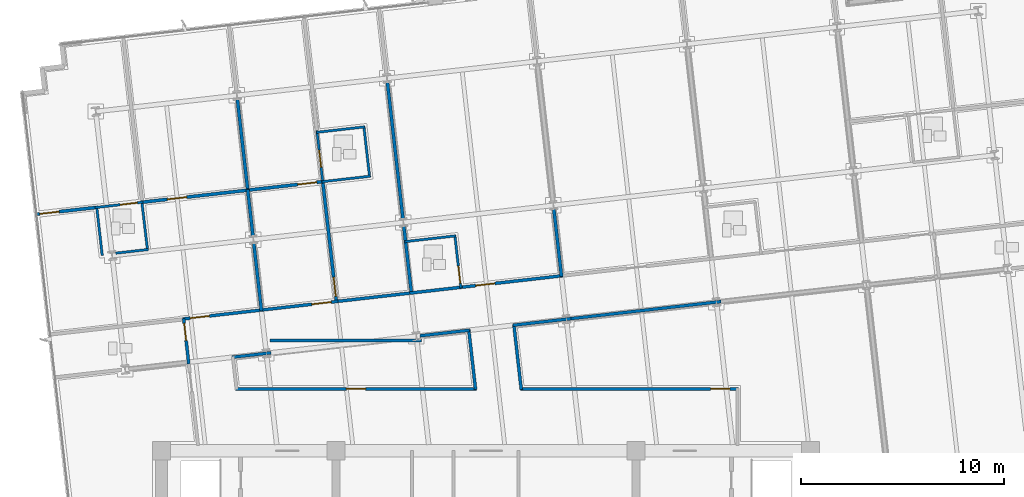
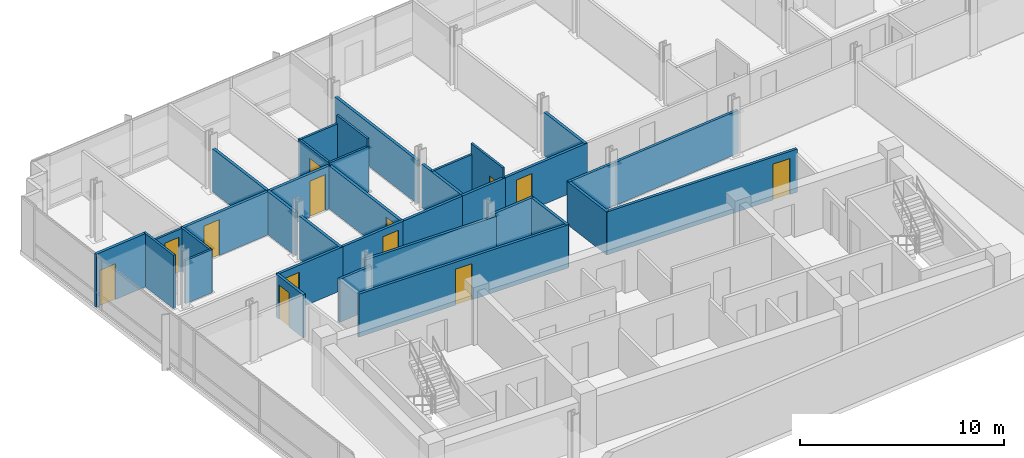
# One storey, part 10 of 16: 35 walls, 13 doors, 13 openings.
"""IFC4 building model written with IfcOpenShell, lengths in metres."""

from ifc_helpers import new_model, si_unit, direction, frame, frame_2d, origin, place, context, subcontext, project, spatial, rectangle, extrude, material, layer, layer_set, type_object, element, fill, save


model = new_model("IFC4")

# Units and contexts
model_context = context("Model", 3, precision=1e-05, world=origin(), true_north=direction((0.0, 1.0)))
body_context = subcontext(model_context, "Body", "Model", "MODEL_VIEW")
ifc_project = project(units=[si_unit("LENGTHUNIT", "METRE"), si_unit("AREAUNIT", "SQUARE_METRE"), si_unit("VOLUMEUNIT", "CUBIC_METRE"), si_unit("PLANEANGLEUNIT", "RADIAN"), si_unit("MASSUNIT", "GRAM", prefix="KILO")], contexts=[model_context])

# Site, building, storey
site_placement = place(None, origin())
site = spatial("IfcSite", under=ifc_project, at=site_placement, CompositionType="ELEMENT")
building_placement = place(site_placement, origin())
building = spatial("IfcBuilding", under=site, at=building_placement, Name="Solmavex Isthmus Hotel", CompositionType="ELEMENT")
storey_placement = place(building_placement, frame((0.0, 0.0, 222.75)))
storey = spatial("IfcBuildingStorey", under=building, at=storey_placement, Name="L60", CompositionType="ELEMENT", Elevation=222.75)

# Wall, opening, door
ifc_material_1 = material(Name="Gypsum plasterboard lining", Category="gypsum")
ifc_layer_1 = layer(ifc_material_1, 0.159912109375)
ifc_layer_set_1 = layer_set([ifc_layer_1], Name="Gypsum plasterboard lining")
wall_type_1 = type_object("IfcWallType", Name="IW-COMP-160", PredefinedType="PARTITIONING", material=ifc_layer_set_1)
wall_1_placement = place(storey_placement, frame((-22.2109375, 9.15478515625, 0.0), z_axis=(0.0, 0.0, 1.0), x_axis=(0.993565909035, 0.113255394587, 0.0)))
wall_1 = element("IfcWall", 1, at=wall_1_placement, inside=storey, type_object=wall_type_1, Name="Interior Partition Wall W-L60-P026", PredefinedType="PARTITIONING", context=body_context, shape_type="SweptSolid", body=[
    extrude(rectangle(XDim=3.073974609375, YDim=0.159912109375, at=frame_2d((1.537109375, 0.0))), origin(), (0.0, 0.0, 1.0), 3.18994140625),
])
opening_1_placement = place(wall_1_placement, frame((0.2099609375, 0.0, 0.0)))
opening_1 = element("IfcOpeningElement", 2, at=opening_1_placement, cuts=wall_1, Name="Opening ID-C095", PredefinedType="OPENING", context=body_context, shape_type="SweptSolid", body=[
    extrude(rectangle(XDim=0.949951171875, YDim=2.14990234375, at=frame_2d((0.47509765625, 1.074951171875))), frame((0.0, 0.08984375, 0.0), z_axis=(0.0, -1.0, 0.0), x_axis=(1.0, 0.0, 0.0)), (0.0, 0.0, 1.0), 0.179931640625),
])
ifc_material_2 = material(Name="Hardwood timber", Category="wood")
door_type_1 = type_object("IfcDoorType", Name="IDR-FD60-0950", OperationType="NOTDEFINED", PredefinedType="DOOR", material=ifc_material_2)
door_1_placement = place(opening_1_placement, origin())
door_1 = element("IfcDoor", 3, at=door_1_placement, inside=storey, type_object=door_type_1, Name="Corner Diplomatic Suite Bedroom Door L60-02", OperationType="SINGLE_SWING_RIGHT", OverallHeight=2.14990234375, OverallWidth=0.949951171875, PredefinedType="DOOR", context=body_context, shape_type="SweptSolid", body=[
    extrude(rectangle(XDim=0.949951171875, YDim=2.14990234375, at=frame_2d((0.47509765625, 1.074951171875))), frame((0.0, 0.02490234375, 0.0), z_axis=(0.0, -1.0, 0.0), x_axis=(1.0, 0.0, 0.0)), (0.0, 0.0, 1.0), 0.050048828125),
])
fill(opening_1, door_1)

wall_2_placement = place(storey_placement, frame((-17.0107421875, 9.747314453125, 0.0), z_axis=(0.0, 0.0, 1.0), x_axis=(0.993573472998, 0.113189017815, 0.0)))
wall_2 = element("IfcWall", 4, at=wall_2_placement, inside=storey, type_object=wall_type_1, Name="Interior Partition Wall W-L60-P027", PredefinedType="PARTITIONING", context=body_context, shape_type="SweptSolid", body=[
    extrude(rectangle(XDim=5.333984375, YDim=0.159912109375, at=frame_2d((2.6669921875, 0.0))), origin(), (0.0, 0.0, 1.0), 2.572265625),
])
opening_2_placement = place(wall_2_placement, frame((1.309326171875, 0.0, 0.0)))
opening_2 = element("IfcOpeningElement", 5, at=opening_2_placement, cuts=wall_2, Name="Opening ID-C095", PredefinedType="OPENING", context=body_context, shape_type="SweptSolid", body=[
    extrude(rectangle(XDim=0.949951171875, YDim=2.14990234375, at=frame_2d((0.47509765625, 1.074951171875))), frame((0.0, 0.08984375, 0.0), z_axis=(0.0, -1.0, 0.0), x_axis=(1.0, 0.0, 0.0)), (0.0, 0.0, 1.0), 0.179931640625),
])
door_2_placement = place(opening_2_placement, origin())
door_2 = element("IfcDoor", 6, at=door_2_placement, inside=storey, type_object=door_type_1, Name="Corner Diplomatic Suite Sitting Lounge Door L60-03", OperationType="SINGLE_SWING_LEFT", OverallHeight=2.14990234375, OverallWidth=0.949951171875, PredefinedType="DOOR", context=body_context, shape_type="SweptSolid", body=[
    extrude(rectangle(XDim=0.949951171875, YDim=2.14990234375, at=frame_2d((0.47509765625, 1.074951171875))), frame((0.0, 0.02490234375, 0.0), z_axis=(0.0, -1.0, 0.0), x_axis=(1.0, 0.0, 0.0)), (0.0, 0.0, 1.0), 0.050048828125),
])
fill(opening_2, door_2)

# Walls
wall_3_placement = place(storey_placement, frame((-11.75537109375, 10.386474609375, 0.0), z_axis=(0.0, 0.0, 1.0), x_axis=(0.113222204678, -0.993569691752, 0.0)))
element("IfcWall", 7, at=wall_3_placement, inside=storey, type_object=wall_type_1, Name="Interior Partition Wall W-L60-P031", PredefinedType="PARTITIONING", context=body_context, shape_type="SweptSolid", body=[
    extrude(rectangle(XDim=2.313720703125, YDim=0.159912109375, at=frame_2d((1.15673828125, 0.0))), origin(), (0.0, 0.0, 1.0), 2.572265625),
])
wall_4_placement = place(storey_placement, frame((-11.453369140625, 7.737060546875, 0.0), z_axis=(0.0, 0.0, 1.0), x_axis=(0.113229088195, -0.993568907317, 0.0)))
element("IfcWall", 8, at=wall_4_placement, inside=storey, type_object=wall_type_1, Name="Interior Partition Wall W-L60-P032", PredefinedType="PARTITIONING", context=body_context, shape_type="SweptSolid", body=[
    extrude(rectangle(XDim=3.361572265625, YDim=0.159912109375, at=frame_2d((1.6806640625, 0.0))), origin(), (0.0, 0.0, 1.0), 2.572265625),
])
wall_5_placement = place(storey_placement, frame((-12.262939453125, 14.84326171875, 0.0), z_axis=(0.0, 0.0, 1.0), x_axis=(0.113201232248, -0.99357208144, 0.0)))
element("IfcWall", 9, at=wall_5_placement, inside=storey, type_object=wall_type_1, Name="Interior Partition Wall W-L60-P037", PredefinedType="PARTITIONING", context=body_context, shape_type="SweptSolid", body=[
    extrude(rectangle(XDim=4.565673828125, YDim=0.159912109375, at=frame_2d((2.28271484375, 0.0))), origin(), (0.0, 0.0, 1.0), 2.572265625),
])

# Wall, opening, door
wall_6_placement = place(storey_placement, frame((-11.79052734375, 10.342041015625, 0.0), z_axis=(0.0, 0.0, 1.0), x_axis=(0.993567388358, 0.113242416041, 0.0)))
wall_6 = element("IfcWall", 10, at=wall_6_placement, inside=storey, type_object=wall_type_1, Name="Interior Partition Wall W-L60-P038", PredefinedType="PARTITIONING", context=body_context, shape_type="SweptSolid", body=[
    extrude(rectangle(XDim=3.802978515625, YDim=0.159912109375, at=frame_2d((1.9013671875, 0.0))), origin(), (0.0, 0.0, 1.0), 2.572265625),
])
opening_3_placement = place(wall_6_placement, frame((2.52099609375, 0.0, 0.0)))
opening_3 = element("IfcOpeningElement", 11, at=opening_3_placement, cuts=wall_6, Name="Opening ID-C095", PredefinedType="OPENING", context=body_context, shape_type="SweptSolid", body=[
    extrude(rectangle(XDim=0.949951171875, YDim=2.14990234375, at=frame_2d((0.47509765625, 1.074951171875))), frame((0.0, 0.08984375, 0.0), z_axis=(0.0, -1.0, 0.0), x_axis=(1.0, 0.0, 0.0)), (0.0, 0.0, 1.0), 0.179931640625),
])
door_3_placement = place(opening_3_placement, origin())
door_3 = element("IfcDoor", 12, at=door_3_placement, inside=storey, type_object=door_type_1, Name="Premier Hospitality Suite Master Bedroom Door L60-06", OperationType="SINGLE_SWING_RIGHT", OverallHeight=2.14990234375, OverallWidth=0.949951171875, PredefinedType="DOOR", context=body_context, shape_type="SweptSolid", body=[
    extrude(rectangle(XDim=0.949951171875, YDim=2.14990234375, at=frame_2d((0.47509765625, 1.074951171875))), frame((0.0, 0.02490234375, 0.0), z_axis=(0.0, -1.0, 0.0), x_axis=(1.0, 0.0, 0.0)), (0.0, 0.0, 1.0), 0.050048828125),
])
fill(opening_3, door_3)

wall_7_placement = place(storey_placement, frame((-8.05615234375, 10.807861328125, 0.0), z_axis=(0.0, 0.0, 1.0), x_axis=(0.11320048128, -0.993572167, 0.0)))
wall_7 = element("IfcWall", 13, at=wall_7_placement, inside=storey, type_object=wall_type_1, Name="Interior Partition Wall W-L60-P039", PredefinedType="PARTITIONING", context=body_context, shape_type="SweptSolid", body=[
    extrude(rectangle(XDim=6.028076171875, YDim=0.159912109375, at=frame_2d((3.01416015625, 0.0))), origin(), (0.0, 0.0, 1.0), 2.572265625),
])
opening_4_placement = place(wall_7_placement, frame((4.787353515625, 0.0, 0.0)))
opening_4 = element("IfcOpeningElement", 14, at=opening_4_placement, cuts=wall_7, Name="Opening ID-C095", PredefinedType="OPENING", context=body_context, shape_type="SweptSolid", body=[
    extrude(rectangle(XDim=0.949951171875, YDim=2.14990234375, at=frame_2d((0.47509765625, 1.074951171875))), frame((0.0, 0.08984375, 0.0), z_axis=(0.0, -1.0, 0.0), x_axis=(1.0, 0.0, 0.0)), (0.0, 0.0, 1.0), 0.179931640625),
])
door_4_placement = place(opening_4_placement, origin())
door_4 = element("IfcDoor", 15, at=door_4_placement, inside=storey, type_object=door_type_1, Name="Premier Hospitality Suite Living Lounge Door L60-07", OperationType="SINGLE_SWING_LEFT", OverallHeight=2.14990234375, OverallWidth=0.949951171875, PredefinedType="DOOR", context=body_context, shape_type="SweptSolid", body=[
    extrude(rectangle(XDim=0.949951171875, YDim=2.14990234375, at=frame_2d((0.47509765625, 1.074951171875))), frame((0.0, 0.02490234375, 0.0), z_axis=(0.0, -1.0, 0.0), x_axis=(1.0, 0.0, 0.0)), (0.0, 0.0, 1.0), 0.050048828125),
])
fill(opening_4, door_4)

# Walls
wall_8_placement = place(storey_placement, frame((-4.864990234375, 15.68603515625, 0.0), z_axis=(0.0, 0.0, 1.0), x_axis=(0.11321341463, -0.993570693382, 0.0)))
element("IfcWall", 16, at=wall_8_placement, inside=storey, type_object=wall_type_1, Name="Interior Partition Wall W-L60-P046", PredefinedType="PARTITIONING", context=body_context, shape_type="SweptSolid", body=[
    extrude(rectangle(XDim=6.79931640625, YDim=0.159912109375, at=frame_2d((3.399658203125, 0.0))), origin(), (0.0, 0.0, 1.0), 2.572265625),
])
for number, where, z_axis, x_axis, name in (
    (17, (-4.05517578125, 8.580078125, 0.0), (0.0, 0.0, 1.0), (0.113149223935, -0.993578005555, 0.0), "Interior Partition Wall W-L60-P047"),
    (18, (3.3427734375, 9.4228515625, 0.0), (0.0, 0.0, 1.0), (0.113229088195, -0.993568907317, 0.0), "Interior Partition Wall W-L60-P052"),
):
    element("IfcWall", number, at=place(storey_placement, frame(where, z_axis=z_axis, x_axis=x_axis)), inside=storey, type_object=wall_type_1, Name=name, PredefinedType="PARTITIONING", context=body_context, shape_type="SweptSolid", body=[
        extrude(rectangle(XDim=3.361572265625, YDim=0.159912109375, at=frame_2d((1.6806640625, 0.0))), origin(), (0.0, 0.0, 1.0), 2.572265625),
    ])

# Wall, opening, door
ifc_layer_2 = layer(ifc_material_1, 0.14990234375)
ifc_layer_set_2 = layer_set([ifc_layer_2], Name="Gypsum plasterboard lining")
wall_type_2 = type_object("IfcWallType", Name="IW-CORR-150", PredefinedType="PARTITIONING", material=ifc_layer_set_2)
wall_9_placement = place(storey_placement, frame((-14.950439453125, 3.99560546875, 0.0), z_axis=(0.0, 0.0, 1.0), x_axis=(0.993575504711, 0.11317118201, 0.0)))
wall_9 = element("IfcWall", 19, at=wall_9_placement, inside=storey, type_object=wall_type_2, Name="Interior Partition Wall W-L60-P001", PredefinedType="PARTITIONING", context=body_context, shape_type="SweptSolid", body=[
    extrude(rectangle(XDim=3.980224609375, YDim=0.14990234375, at=frame_2d((1.990234375, 0.0))), origin(), (0.0, 0.0, 1.0), 2.572265625),
])
opening_5_placement = place(wall_9_placement, frame((0.368408203125, 0.0, 0.0)))
opening_5 = element("IfcOpeningElement", 20, at=opening_5_placement, cuts=wall_9, Name="Opening ID-C095", PredefinedType="OPENING", context=body_context, shape_type="SweptSolid", body=[
    extrude(rectangle(XDim=0.949951171875, YDim=2.14990234375, at=frame_2d((0.47509765625, 1.074951171875))), frame((0.0, 0.0849609375, 0.0), z_axis=(0.0, -1.0, 0.0), x_axis=(1.0, 0.0, 0.0)), (0.0, 0.0, 1.0), 0.169921875),
])
door_5_placement = place(opening_5_placement, origin())
door_5 = element("IfcDoor", 21, at=door_5_placement, inside=storey, type_object=door_type_1, Name="Corner Diplomatic Suite Reception Foyer Door L60-01", OperationType="SINGLE_SWING_LEFT", OverallHeight=2.14990234375, OverallWidth=0.949951171875, PredefinedType="DOOR", context=body_context, shape_type="SweptSolid", body=[
    extrude(rectangle(XDim=0.949951171875, YDim=2.14990234375, at=frame_2d((0.47509765625, 1.074951171875))), frame((0.0, 0.02490234375, 0.0), z_axis=(0.0, -1.0, 0.0), x_axis=(1.0, 0.0, 0.0)), (0.0, 0.0, 1.0), 0.050048828125),
])
fill(opening_5, door_5)

wall_10_placement = place(storey_placement, frame((-11.158935546875, 4.427490234375, 0.0), z_axis=(0.0, 0.0, 1.0), x_axis=(0.993567244528, 0.113243677975, 0.0)))
wall_10 = element("IfcWall", 22, at=wall_10_placement, inside=storey, type_object=wall_type_2, Name="Interior Partition Wall W-L60-P002", PredefinedType="PARTITIONING", context=body_context, shape_type="SweptSolid", body=[
    extrude(rectangle(XDim=3.886962890625, YDim=0.14990234375, at=frame_2d((1.943359375, 0.0))), origin(), (0.0, 0.0, 1.0), 2.572265625),
])
opening_6_placement = place(wall_10_placement, frame((2.587890625, 0.0, 0.0)))
opening_6 = element("IfcOpeningElement", 23, at=opening_6_placement, cuts=wall_10, Name="Opening ID-C095", PredefinedType="OPENING", context=body_context, shape_type="SweptSolid", body=[
    extrude(rectangle(XDim=0.949951171875, YDim=2.14990234375, at=frame_2d((0.47509765625, 1.074951171875))), frame((0.0, 0.0849609375, 0.0), z_axis=(0.0, -1.0, 0.0), x_axis=(1.0, 0.0, 0.0)), (0.0, 0.0, 1.0), 0.169921875),
])
door_6_placement = place(opening_6_placement, origin())
door_6 = element("IfcDoor", 24, at=door_6_placement, inside=storey, type_object=door_type_1, Name="Premier Hospitality Suite Entrance Hall Door L60-05", OperationType="SINGLE_SWING_LEFT", OverallHeight=2.14990234375, OverallWidth=0.949951171875, PredefinedType="DOOR", context=body_context, shape_type="SweptSolid", body=[
    extrude(rectangle(XDim=0.949951171875, YDim=2.14990234375, at=frame_2d((0.47509765625, 1.074951171875))), frame((0.0, 0.02490234375, 0.0), z_axis=(0.0, -1.0, 0.0), x_axis=(1.0, 0.0, 0.0)), (0.0, 0.0, 1.0), 0.050048828125),
])
fill(opening_6, door_6)

# Wall
wall_11_placement = place(storey_placement, frame((-7.459716796875, 4.84912109375, 0.0), z_axis=(0.0, 0.0, 1.0), x_axis=(0.993573504889, 0.113188737881, 0.0)))
element("IfcWall", 25, at=wall_11_placement, inside=storey, type_object=wall_type_2, Name="Interior Partition Wall W-L60-P003", PredefinedType="PARTITIONING", context=body_context, shape_type="SweptSolid", body=[
    extrude(rectangle(XDim=3.88671875, YDim=0.14990234375, at=frame_2d((1.943359375, 0.0))), origin(), (0.0, 0.0, 1.0), 2.572265625),
])

# Wall, opening, door
wall_12_placement = place(storey_placement, frame((-1.326416015625, 5.5478515625, 0.0), z_axis=(0.0, 0.0, 1.0), x_axis=(0.993569374626, 0.113224987546, 0.0)))
wall_12 = element("IfcWall", 26, at=wall_12_placement, inside=storey, type_object=wall_type_2, Name="Interior Partition Wall W-L60-P004", PredefinedType="PARTITIONING", context=body_context, shape_type="SweptSolid", body=[
    extrude(rectangle(XDim=5.159912109375, YDim=0.14990234375, at=frame_2d((2.580078125, 0.0))), origin(), (0.0, 0.0, 1.0), 2.572265625),
])
opening_7_placement = place(wall_12_placement, frame((0.82470703125, 0.0, 0.0)))
opening_7 = element("IfcOpeningElement", 27, at=opening_7_placement, cuts=wall_12, Name="Opening ID-C095", PredefinedType="OPENING", context=body_context, shape_type="SweptSolid", body=[
    extrude(rectangle(XDim=0.949951171875, YDim=2.14990234375, at=frame_2d((0.47509765625, 1.074951171875))), frame((0.0, 0.0849609375, 0.0), z_axis=(0.0, -1.0, 0.0), x_axis=(1.0, 0.0, 0.0)), (0.0, 0.0, 1.0), 0.169921875),
])
door_7_placement = place(opening_7_placement, origin())
door_7 = element("IfcDoor", 28, at=door_7_placement, inside=storey, type_object=door_type_1, Name="Premier Suite Door L60-09", OperationType="SINGLE_SWING_LEFT", OverallHeight=2.14990234375, OverallWidth=0.949951171875, PredefinedType="DOOR", context=body_context, shape_type="SweptSolid", body=[
    extrude(rectangle(XDim=0.949951171875, YDim=2.14990234375, at=frame_2d((0.47509765625, 1.074951171875))), frame((0.0, 0.02490234375, 0.0), z_axis=(0.0, -1.0, 0.0), x_axis=(1.0, 0.0, 0.0)), (0.0, 0.0, 1.0), 0.050048828125),
])
fill(opening_7, door_7)

# Wall
wall_13_placement = place(storey_placement, frame((-3.7607421875, 5.2705078125, 0.0), z_axis=(0.0, 0.0, 1.0), x_axis=(0.993572349416, 0.113198880193, 0.0)))
element("IfcWall", 29, at=wall_13_placement, inside=storey, type_object=wall_type_2, Name="Interior Partition Wall W-L60-P005", PredefinedType="PARTITIONING", context=body_context, shape_type="SweptSolid", body=[
    extrude(rectangle(XDim=2.614013671875, YDim=0.14990234375, at=frame_2d((1.30712890625, 0.0))), origin(), (0.0, 0.0, 1.0), 2.572265625),
])

# Wall, opening, door
wall_14_placement = place(storey_placement, frame((-14.657958984375, 1.782470703125, 0.0), z_axis=(0.0, 0.0, 1.0), x_axis=(-0.113179685294, 0.993574536125, 0.0)))
wall_14 = element("IfcWall", 30, at=wall_14_placement, inside=storey, type_object=wall_type_2, Name="Interior Partition Wall W-L60-P010", PredefinedType="PARTITIONING", context=body_context, shape_type="SweptSolid", body=[
    extrude(rectangle(XDim=2.251953125, YDim=0.14990234375, at=frame_2d((1.1259765625, 0.0))), origin(), (0.0, 0.0, 1.0), 2.572265625),
])
opening_8_placement = place(wall_14_placement, frame((1.156982421875, 0.0, 0.0)))
opening_8 = element("IfcOpeningElement", 31, at=opening_8_placement, cuts=wall_14, Name="Opening ID-R085", PredefinedType="OPENING", context=body_context, shape_type="SweptSolid", body=[
    extrude(rectangle(XDim=0.85009765625, YDim=2.050048828125, at=frame_2d((0.425048828125, 1.02490234375))), frame((0.0, 0.0849609375, 0.0), z_axis=(0.0, -1.0, 0.0), x_axis=(1.0, 0.0, 0.0)), (0.0, 0.0, 1.0), 0.169921875),
])
ifc_material_3 = material(Name="Steel ASTM A500 Grade C", Category="steel")
door_type_2 = type_object("IfcDoorType", Name="IDR-FD60-0850", OperationType="NOTDEFINED", PredefinedType="DOOR", material=ifc_material_3)
door_8_placement = place(opening_8_placement, frame((0.85009765625, 0.0, 0.0), z_axis=(0.0, 0.0, 1.0), x_axis=(-1.0, 0.0, 0.0)))
door_8 = element("IfcDoor", 32, at=door_8_placement, inside=storey, type_object=door_type_2, Name="Accessible Public Restroom WC Door L60-18", OperationType="SINGLE_SWING_RIGHT", OverallHeight=2.050048828125, OverallWidth=0.85009765625, PredefinedType="DOOR", context=body_context, shape_type="SweptSolid", body=[
    extrude(rectangle(XDim=0.85009765625, YDim=2.050048828125, at=frame_2d((0.425048828125, 1.02490234375))), frame((0.0, 0.02490234375, 0.0), z_axis=(0.0, -1.0, 0.0), x_axis=(1.0, 0.0, 0.0)), (0.0, 0.0, 1.0), 0.050048828125),
])
fill(opening_8, door_8)

# Wall
wall_15_placement = place(storey_placement, frame((-10.6064453125, 2.32666015625, 0.0), z_axis=(0.0, 0.0, 1.0), x_axis=(-0.993564486687, -0.113267871856, 0.0)))
element("IfcWall", 33, at=wall_15_placement, inside=storey, type_object=wall_type_2, Name="Interior Partition Wall W-L60-P012", PredefinedType="PARTITIONING", context=body_context, shape_type="SweptSolid", body=[
    extrude(rectangle(XDim=1.927001953125, YDim=0.14990234375, at=frame_2d((0.96337890625, 0.0))), origin(), (0.0, 0.0, 1.0), 2.572265625),
])

# Wall, opening, door
wall_16_placement = place(storey_placement, frame((-12.34326171875, 0.550048828125, 0.0), z_axis=(0.0, 0.0, 1.0), x_axis=(1.0, 0.0, 0.0)))
wall_16 = element("IfcWall", 34, at=wall_16_placement, inside=storey, type_object=wall_type_2, Name="Interior Partition Wall W-L60-P014", PredefinedType="PARTITIONING", context=body_context, shape_type="SweptSolid", body=[
    extrude(rectangle(XDim=11.86279296875, YDim=0.14990234375, at=frame_2d((5.931396484375, 0.0))), origin(), (0.0, 0.0, 1.0), 2.572265625),
])
opening_9_placement = place(wall_16_placement, frame((5.456298828125, 0.0, 0.0)))
opening_9 = element("IfcOpeningElement", 35, at=opening_9_placement, cuts=wall_16, Name="Opening ID-C095", PredefinedType="OPENING", context=body_context, shape_type="SweptSolid", body=[
    extrude(rectangle(XDim=0.949951171875, YDim=2.14990234375, at=frame_2d((0.47509765625, 1.074951171875))), frame((0.0, 0.0849609375, 0.0), z_axis=(0.0, -1.0, 0.0), x_axis=(1.0, 0.0, 0.0)), (0.0, 0.0, 1.0), 0.169921875),
])
door_9_placement = place(opening_9_placement, origin())
door_9 = element("IfcDoor", 36, at=door_9_placement, inside=storey, type_object=door_type_1, Name="Executive Boardroom Door L60-20", OperationType="SINGLE_SWING_RIGHT", OverallHeight=2.14990234375, OverallWidth=0.949951171875, PredefinedType="DOOR", context=body_context, shape_type="SweptSolid", body=[
    extrude(rectangle(XDim=0.949951171875, YDim=2.14990234375, at=frame_2d((0.47509765625, 1.074951171875))), frame((0.0, 0.02490234375, 0.0), z_axis=(0.0, -1.0, 0.0), x_axis=(1.0, 0.0, 0.0)), (0.0, 0.0, 1.0), 0.050048828125),
])
fill(opening_9, door_9)

# Walls
wall_17_placement = place(storey_placement, frame((-0.515869140625, 0.51025390625, 0.0), z_axis=(0.0, 0.0, 1.0), x_axis=(-0.113283799092, 0.993562670828, 0.0)))
element("IfcWall", 37, at=wall_17_placement, inside=storey, type_object=wall_type_2, Name="Interior Partition Wall W-L60-P015", PredefinedType="PARTITIONING", context=body_context, shape_type="SweptSolid", body=[
    extrude(rectangle(XDim=2.987060546875, YDim=0.14990234375, at=frame_2d((1.49365234375, 0.0))), origin(), (0.0, 0.0, 1.0), 2.572265625),
])
wall_18_placement = place(storey_placement, frame((-0.809814453125, 3.44287109375, 0.0), z_axis=(0.0, 0.0, 1.0), x_axis=(-0.993568355418, -0.113233930922, 0.0)))
element("IfcWall", 38, at=wall_18_placement, inside=storey, type_object=wall_type_2, Name="Interior Partition Wall W-L60-P016", PredefinedType="PARTITIONING", context=body_context, shape_type="SweptSolid", body=[
    extrude(rectangle(XDim=2.466552734375, YDim=0.14990234375, at=frame_2d((1.2333984375, 0.0))), origin(), (0.0, 0.0, 1.0), 2.572265625),
])
wall_19_placement = place(storey_placement, frame((-3.180908203125, 2.9287109375, 0.0), z_axis=(0.0, 0.0, 1.0), x_axis=(-1.0, 0.0, 0.0)))
element("IfcWall", 39, at=wall_19_placement, inside=storey, type_object=wall_type_2, Name="Interior Partition Wall W-L60-P017", PredefinedType="PARTITIONING", context=body_context, shape_type="SweptSolid", body=[
    extrude(rectangle(XDim=7.477783203125, YDim=0.14990234375, at=frame_2d((3.73876953125, 0.0))), origin(), (0.0, 0.0, 1.0), 2.572265625),
])
wall_20_placement = place(storey_placement, frame((4.18994140625, 4.012451171875, 0.0), z_axis=(0.0, 0.0, 1.0), x_axis=(-0.99356987962, -0.113220556049, 0.0)))
element("IfcWall", 40, at=wall_20_placement, inside=storey, type_object=wall_type_2, Name="Interior Partition Wall W-L60-P019", PredefinedType="PARTITIONING", context=body_context, shape_type="SweptSolid", body=[
    extrude(rectangle(XDim=2.872314453125, YDim=0.14990234375, at=frame_2d((1.43603515625, 0.0))), origin(), (0.0, 0.0, 1.0), 2.572265625),
])
wall_21_placement = place(storey_placement, frame((1.37158203125, 3.731689453125, 0.0), z_axis=(0.0, 0.0, 1.0), x_axis=(0.113174940517, -0.993575076599, 0.0)))
element("IfcWall", 41, at=wall_21_placement, inside=storey, type_object=wall_type_2, Name="Interior Partition Wall W-L60-P020", PredefinedType="PARTITIONING", context=body_context, shape_type="SweptSolid", body=[
    extrude(rectangle(XDim=3.2421875, YDim=0.14990234375, at=frame_2d((1.62109375, 0.0))), origin(), (0.0, 0.0, 1.0), 2.572265625),
])

# Wall, opening, door
wall_22_placement = place(storey_placement, frame((1.694091796875, 0.550048828125, 0.0), z_axis=(0.0, 0.0, 1.0), x_axis=(1.0, 0.0, 0.0)))
wall_22 = element("IfcWall", 42, at=wall_22_placement, inside=storey, type_object=wall_type_2, Name="Interior Partition Wall W-L60-P021", PredefinedType="PARTITIONING", context=body_context, shape_type="SweptSolid", body=[
    extrude(rectangle(XDim=10.745849609375, YDim=0.14990234375, at=frame_2d((5.373046875, 0.0))), origin(), (0.0, 0.0, 1.0), 2.572265625),
])
opening_10_placement = place(wall_22_placement, frame((9.377685546875, 0.0, 0.0)))
opening_10 = element("IfcOpeningElement", 43, at=opening_10_placement, cuts=wall_22, Name="Opening ID-C095", PredefinedType="OPENING", context=body_context, shape_type="SweptSolid", body=[
    extrude(rectangle(XDim=0.949951171875, YDim=2.14990234375, at=frame_2d((0.47509765625, 1.074951171875))), frame((0.0, 0.0849609375, 0.0), z_axis=(0.0, -1.0, 0.0), x_axis=(1.0, 0.0, 0.0)), (0.0, 0.0, 1.0), 0.169921875),
])
door_10_placement = place(opening_10_placement, frame((0.949951171875, 0.0, 0.0), z_axis=(0.0, 0.0, 1.0), x_axis=(-1.0, 0.0, 0.0)))
door_10 = element("IfcDoor", 44, at=door_10_placement, inside=storey, type_object=door_type_1, Name="Executive Boardroom Door L60-22", OperationType="SINGLE_SWING_RIGHT", OverallHeight=2.14990234375, OverallWidth=0.949951171875, PredefinedType="DOOR", context=body_context, shape_type="SweptSolid", body=[
    extrude(rectangle(XDim=0.949951171875, YDim=2.14990234375, at=frame_2d((0.47509765625, 1.074951171875))), frame((0.0, 0.02490234375, 0.0), z_axis=(0.0, -1.0, 0.0), x_axis=(1.0, 0.0, 0.0)), (0.0, 0.0, 1.0), 0.050048828125),
])
fill(opening_10, door_10)

# Walls
wall_23_placement = place(storey_placement, frame((11.587890625, 4.855224609375, 0.0), z_axis=(0.0, 0.0, 1.0), x_axis=(-0.993575418148, -0.113171941983, 0.0)))
element("IfcWall", 45, at=wall_23_placement, inside=storey, type_object=wall_type_2, Name="Interior Partition Wall W-L60-P023", PredefinedType="PARTITIONING", context=body_context, shape_type="SweptSolid", body=[
    extrude(rectangle(XDim=7.49853515625, YDim=0.14990234375, at=frame_2d((3.749267578125, 0.0))), origin(), (0.0, 0.0, 1.0), 2.572265625),
])
ifc_layer_3 = layer(ifc_material_1, 0.1201171875)
ifc_layer_set_3 = layer_set([ifc_layer_3], Name="Gypsum plasterboard lining")
wall_type_3 = type_object("IfcWallType", Name="IW-PART-120", PredefinedType="PARTITIONING", material=ifc_layer_set_3)
wall_24_placement = place(storey_placement, frame((-19.201171875, 9.5380859375, 0.0), z_axis=(0.0, 0.0, 1.0), x_axis=(0.11322075119, -0.993569857383, 0.0)))
element("IfcWall", 46, at=wall_24_placement, inside=storey, type_object=wall_type_3, Name="Interior Partition Wall W-L60-P028", PredefinedType="PARTITIONING", context=body_context, shape_type="SweptSolid", body=[
    extrude(rectangle(XDim=2.43017578125, YDim=0.1201171875, at=frame_2d((1.215087890625, 0.0))), origin(), (0.0, 0.0, 1.0), 3.18994140625),
])
wall_25_placement = place(storey_placement, frame((-18.260986328125, 7.23974609375, 0.0), z_axis=(0.0, 0.0, 1.0), x_axis=(0.993577877691, 0.113150346722, 0.0)))
element("IfcWall", 47, at=wall_25_placement, inside=storey, type_object=wall_type_3, Name="Interior Partition Wall W-L60-P029", PredefinedType="PARTITIONING", context=body_context, shape_type="SweptSolid", body=[
    extrude(rectangle(XDim=1.6162109375, YDim=0.1201171875, at=frame_2d((0.80810546875, 0.0))), origin(), (0.0, 0.0, 1.0), 2.572265625),
])
wall_26_placement = place(storey_placement, frame((-16.690185546875, 7.37841796875, 0.0), z_axis=(0.0, 0.0, 1.0), x_axis=(-0.117453323997, 0.993078404096, 0.0)))
element("IfcWall", 48, at=wall_26_placement, inside=storey, type_object=wall_type_3, Name="Interior Partition Wall W-L60-P030", PredefinedType="PARTITIONING", context=body_context, shape_type="SweptSolid", body=[
    extrude(rectangle(XDim=2.429931640625, YDim=0.1201171875, at=frame_2d((1.21484375, 0.0))), origin(), (0.0, 0.0, 1.0), 2.572265625),
])

# Wall, opening, door
wall_27_placement = place(storey_placement, frame((-16.92138671875, 9.757568359375, 0.0), z_axis=(0.0, 0.0, 1.0), x_axis=(-0.993569776601, -0.113221460091, 0.0)))
wall_27 = element("IfcWall", 49, at=wall_27_placement, inside=storey, type_object=wall_type_3, Name="Interior Partition Wall W-L60-P035", PredefinedType="PARTITIONING", context=body_context, shape_type="SweptSolid", body=[
    extrude(rectangle(XDim=2.371826171875, YDim=0.1201171875, at=frame_2d((1.18603515625, 0.0))), origin(), (0.0, 0.0, 1.0), 2.5576171875),
])
opening_11_placement = place(wall_27_placement, frame((0.27978515625, 0.0, 0.0)))
opening_11 = element("IfcOpeningElement", 50, at=opening_11_placement, cuts=wall_27, Name="Opening ID-U085", PredefinedType="OPENING", context=body_context, shape_type="SweptSolid", body=[
    extrude(rectangle(XDim=0.85009765625, YDim=2.10009765625, at=frame_2d((0.425048828125, 1.050048828125))), frame((0.0, 0.070068359375, 0.0), z_axis=(0.0, -1.0, 0.0), x_axis=(1.0, 0.0, 0.0)), (0.0, 0.0, 1.0), 0.14013671875),
])
door_type_3 = type_object("IfcDoorType", Name="IDR-UNR-0850", OperationType="NOTDEFINED", PredefinedType="DOOR", material=ifc_material_2)
door_11_placement = place(opening_11_placement, frame((0.85009765625, 0.0, 0.0), z_axis=(0.0, 0.0, 1.0), x_axis=(-1.0, 0.0, 0.0)))
door_11 = element("IfcDoor", 51, at=door_11_placement, inside=storey, type_object=door_type_3, Name="En-suite Bathroom Door L60-04", OperationType="SINGLE_SWING_RIGHT", OverallHeight=2.10009765625, OverallWidth=0.85009765625, PredefinedType="DOOR", context=body_context, shape_type="SweptSolid", body=[
    extrude(rectangle(XDim=0.85009765625, YDim=2.10009765625, at=frame_2d((0.425048828125, 1.050048828125))), frame((0.0, 0.02490234375, 0.0), z_axis=(0.0, -1.0, 0.0), x_axis=(1.0, 0.0, 0.0)), (0.0, 0.0, 1.0), 0.050048828125),
])
fill(opening_11, door_11)

wall_28_placement = place(storey_placement, frame((-8.33837890625, 13.28369140625, 0.0), z_axis=(0.0, 0.0, 1.0), x_axis=(0.113244068937, -0.993567199967, 0.0)))
wall_28 = element("IfcWall", 52, at=wall_28_placement, inside=storey, type_object=wall_type_3, Name="Interior Partition Wall W-L60-P041", PredefinedType="PARTITIONING", context=body_context, shape_type="SweptSolid", body=[
    extrude(rectangle(XDim=2.572021484375, YDim=0.1201171875, at=frame_2d((1.2861328125, 0.0))), origin(), (0.0, 0.0, 1.0), 2.718017578125),
])
opening_12_placement = place(wall_28_placement, frame((0.9658203125, 0.0, 0.0)))
opening_12 = element("IfcOpeningElement", 53, at=opening_12_placement, cuts=wall_28, Name="Opening ID-U085", PredefinedType="OPENING", context=body_context, shape_type="SweptSolid", body=[
    extrude(rectangle(XDim=0.85009765625, YDim=2.10009765625, at=frame_2d((0.425048828125, 1.050048828125))), frame((0.0, 0.070068359375, 0.0), z_axis=(0.0, -1.0, 0.0), x_axis=(1.0, 0.0, 0.0)), (0.0, 0.0, 1.0), 0.14013671875),
])
door_12_placement = place(opening_12_placement, frame((0.85009765625, 0.0, 0.0), z_axis=(0.0, 0.0, 1.0), x_axis=(-1.0, 0.0, 0.0)))
door_12 = element("IfcDoor", 54, at=door_12_placement, inside=storey, type_object=door_type_3, Name="En-suite Bathroom Door L60-08", OperationType="SINGLE_SWING_RIGHT", OverallHeight=2.10009765625, OverallWidth=0.85009765625, PredefinedType="DOOR", context=body_context, shape_type="SweptSolid", body=[
    extrude(rectangle(XDim=0.85009765625, YDim=2.10009765625, at=frame_2d((0.425048828125, 1.050048828125))), frame((0.0, 0.02490234375, 0.0), z_axis=(0.0, -1.0, 0.0), x_axis=(1.0, 0.0, 0.0)), (0.0, 0.0, 1.0), 0.050048828125),
])
fill(opening_12, door_12)

# Walls
wall_29_placement = place(storey_placement, frame((-8.09130859375, 10.763671875, 0.0), z_axis=(0.0, 0.0, 1.0), x_axis=(0.993573870401, 0.113185529362, 0.0)))
element("IfcWall", 55, at=wall_29_placement, inside=storey, type_object=wall_type_3, Name="Interior Partition Wall W-L60-P042", PredefinedType="PARTITIONING", context=body_context, shape_type="SweptSolid", body=[
    extrude(rectangle(XDim=2.40283203125, YDim=0.1201171875, at=frame_2d((1.201416015625, 0.0))), origin(), (0.0, 0.0, 1.0), 2.718017578125),
])
wall_30_placement = place(storey_placement, frame((-5.739013671875, 10.9912109375, 0.0), z_axis=(0.0, 0.0, 1.0), x_axis=(-0.113184642947, 0.993573971379, 0.0)))
element("IfcWall", 56, at=wall_30_placement, inside=storey, type_object=wall_type_3, Name="Interior Partition Wall W-L60-P043", PredefinedType="PARTITIONING", context=body_context, shape_type="SweptSolid", body=[
    extrude(rectangle(XDim=2.5302734375, YDim=0.1201171875, at=frame_2d((1.26513671875, 0.0))), origin(), (0.0, 0.0, 1.0), 3.18994140625),
])
wall_31_placement = place(storey_placement, frame((-5.981201171875, 13.4697265625, 0.0), z_axis=(0.0, 0.0, 1.0), x_axis=(-0.993573870401, -0.113185529362, 0.0)))
element("IfcWall", 57, at=wall_31_placement, inside=storey, type_object=wall_type_3, Name="Interior Partition Wall W-L60-P044", PredefinedType="PARTITIONING", context=body_context, shape_type="SweptSolid", body=[
    extrude(rectangle(XDim=2.40283203125, YDim=0.1201171875, at=frame_2d((1.201416015625, 0.0))), origin(), (0.0, 0.0, 1.0), 2.718017578125),
])

# Wall, opening, door
wall_32_placement = place(storey_placement, frame((-1.240478515625, 5.517333984375, 0.0), z_axis=(0.0, 0.0, 1.0), x_axis=(-0.113161716754, 0.993576582786, 0.0)))
wall_32 = element("IfcWall", 58, at=wall_32_placement, inside=storey, type_object=wall_type_3, Name="Interior Partition Wall W-L60-P048", PredefinedType="PARTITIONING", context=body_context, shape_type="SweptSolid", body=[
    extrude(rectangle(XDim=2.6298828125, YDim=0.1201171875, at=frame_2d((1.31494140625, 0.0))), origin(), (0.0, 0.0, 1.0), 3.18994140625),
])
opening_13_placement = place(wall_32_placement, frame((0.247314453125, 0.0, 0.0)))
opening_13 = element("IfcOpeningElement", 59, at=opening_13_placement, cuts=wall_32, Name="Opening ID-U085", PredefinedType="OPENING", context=body_context, shape_type="SweptSolid", body=[
    extrude(rectangle(XDim=0.85009765625, YDim=2.10009765625, at=frame_2d((0.425048828125, 1.050048828125))), frame((0.0, 0.070068359375, 0.0), z_axis=(0.0, -1.0, 0.0), x_axis=(1.0, 0.0, 0.0)), (0.0, 0.0, 1.0), 0.14013671875),
])
door_13_placement = place(opening_13_placement, frame((0.85009765625, 0.0, 0.0), z_axis=(0.0, 0.0, 1.0), x_axis=(-1.0, 0.0, 0.0)))
door_13 = element("IfcDoor", 60, at=door_13_placement, inside=storey, type_object=door_type_3, Name="En-suite Bathroom Door L60-10", OperationType="SINGLE_SWING_RIGHT", OverallHeight=2.10009765625, OverallWidth=0.85009765625, PredefinedType="DOOR", context=body_context, shape_type="SweptSolid", body=[
    extrude(rectangle(XDim=0.85009765625, YDim=2.10009765625, at=frame_2d((0.425048828125, 1.050048828125))), frame((0.0, 0.02490234375, 0.0), z_axis=(0.0, -1.0, 0.0), x_axis=(1.0, 0.0, 0.0)), (0.0, 0.0, 1.0), 0.050048828125),
])
fill(opening_13, door_13)

# Wall
wall_33_placement = place(storey_placement, frame((-1.493896484375, 8.09521484375, 0.0), z_axis=(0.0, 0.0, 1.0), x_axis=(-0.99357273507, -0.113195495167, 0.0)))
element("IfcWall", 61, at=wall_33_placement, inside=storey, type_object=wall_type_3, Name="Interior Partition Wall W-L60-P049", PredefinedType="PARTITIONING", context=body_context, shape_type="SweptSolid", body=[
    extrude(rectangle(XDim=2.530029296875, YDim=0.1201171875, at=frame_2d((1.26513671875, 0.0))), origin(), (0.0, 0.0, 1.0), 2.572265625),
])

save(model, "model.ifc")
